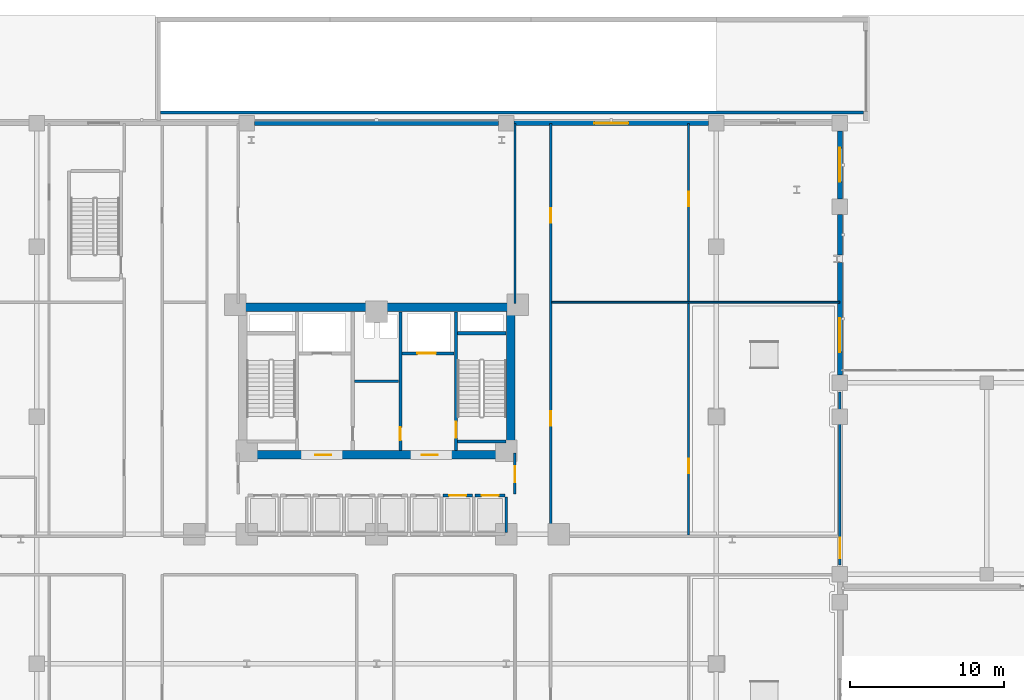
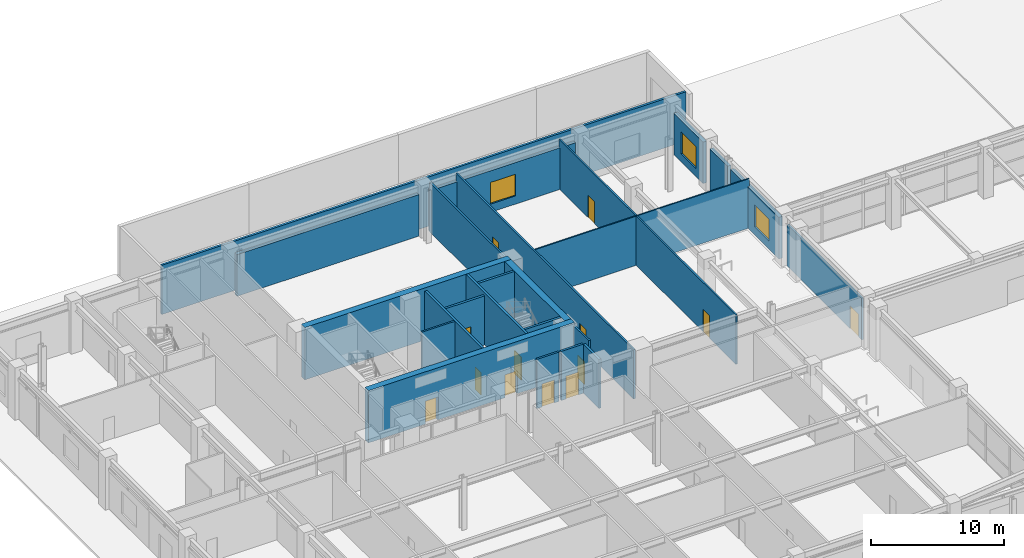
# One storey, part 26 of 40: 24 walls, 13 doors, 3 windows, 16 openings.
"""IFC4 building model written with IfcOpenShell, lengths in metres."""

from ifc_helpers import new_model, si_unit, derived_unit, direction, frame, frame_2d, origin, place, context, subcontext, project, spatial, rectangle, extrude, material, layer, layer_set, type_object, element, fill, save


model = new_model("IFC4")

# Units and contexts
model_context = context("Model", 3, precision=1e-05, world=origin(), true_north=direction((0.0, 1.0)))
body_context = subcontext(model_context, "Body", "Model", "MODEL_VIEW")
ifc_project = project(units=[si_unit("LENGTHUNIT", "METRE"), si_unit("AREAUNIT", "SQUARE_METRE"), si_unit("VOLUMEUNIT", "CUBIC_METRE"), si_unit("PLANEANGLEUNIT", "RADIAN"), si_unit("MASSUNIT", "GRAM", prefix="KILO"), derived_unit("THERMALTRANSMITTANCEUNIT", [(si_unit("POWERUNIT", "WATT"), 1), (si_unit("LENGTHUNIT", "METRE"), -2), (si_unit("THERMODYNAMICTEMPERATUREUNIT", "KELVIN"), -1)])], contexts=[model_context])

# Site, building, storey
site_placement = place(None, origin())
site = spatial("IfcSite", under=ifc_project, at=site_placement, CompositionType="ELEMENT")
building_placement = place(site_placement, origin())
building = spatial("IfcBuilding", under=site, at=building_placement, Name="Korsvarv Bourse and Concert Hall", CompositionType="ELEMENT")
storey_placement = place(building_placement, origin())
storey = spatial("IfcBuildingStorey", under=building, at=storey_placement, Name="L00", CompositionType="ELEMENT", Elevation=0.0)

# Wall, opening, door
ifc_material_1 = material(Name="Concrete C50/60", Category="concrete")
ifc_layer_1 = layer(ifc_material_1, 0.3798828125)
ifc_layer_set_1 = layer_set([ifc_layer_1], Name="Concrete C50/60")
wall_type_1 = type_object("IfcWallType", Name="WL-CORE-380", PredefinedType="SHEAR", material=ifc_layer_set_1)
wall_1_placement = place(storey_placement, frame((41.139892578125, 37.81005859375, 0.0), z_axis=(0.0, 0.0, 1.0), x_axis=(0.0, 1.0, 0.0)))
wall_1 = element("IfcWall", 1, at=wall_1_placement, inside=storey, type_object=wall_type_1, Name="L00 stair shaft structural wall W-L00-ST2-W", PredefinedType="SHEAR", context=body_context, shape_type="SweptSolid", body=[
    extrude(rectangle(XDim=8.97998046875, YDim=0.199951171875, at=frame_2d((4.489990234375, 0.0))), origin(), (0.0, 0.0, 1.0), 4.800048828125),
])
opening_1_placement = place(wall_1_placement, frame((0.820068359375, 0.0, 0.0)))
opening_1 = element("IfcOpeningElement", 2, at=opening_1_placement, cuts=wall_1, Name="Opening D-01", PredefinedType="OPENING", context=body_context, shape_type="SweptSolid", body=[
    extrude(rectangle(XDim=1.050048828125, YDim=2.10009765625, at=frame_2d((0.52490234375, 1.050048828125))), frame((0.0, 0.10986328125, 0.0), z_axis=(0.0, -1.0, 0.0), x_axis=(1.0, 0.0, 0.0)), (0.0, 0.0, 1.0), 0.219970703125),
])
ifc_material_2 = material(Name="Steel S355 fire door", Category="steel")
door_type_1 = type_object("IfcDoorType", Name="DR-FD60", OperationType="NOTDEFINED", PredefinedType="DOOR", material=ifc_material_2)
door_1_placement = place(opening_1_placement, frame((1.050048828125, 0.0, 0.0), z_axis=(0.0, 0.0, 1.0), x_axis=(-1.0, 0.0, 0.0)))
door_1 = element("IfcDoor", 3, at=door_1_placement, inside=storey, type_object=door_type_1, Name="L00 interior door DR-L00-ST2", OperationType="SINGLE_SWING_RIGHT", OverallHeight=2.10009765625, OverallWidth=1.050048828125, PredefinedType="DOOR", context=body_context, shape_type="SweptSolid", body=[
    extrude(rectangle(XDim=1.050048828125, YDim=2.10009765625, at=frame_2d((0.52490234375, 1.050048828125))), frame((0.0, 0.02490234375, 0.0), z_axis=(0.0, -1.0, 0.0), x_axis=(1.0, 0.0, 0.0)), (0.0, 0.0, 1.0), 0.050048828125),
])
fill(opening_1, door_1)

# Walls
for number, where, z_axis, x_axis, name in (
    (4, (41.25, 45.39990234375, 0.0), (0.0, 0.0, 1.0), (1.0, 0.0, 0.0), "L00 stair shaft structural wall W-L00-ST2-N"),
    (5, (41.25, 38.39990234375, 0.0), (0.0, 0.0, 1.0), (1.0, 0.0, 0.0), "L00 stair shaft structural wall W-L00-ST2-S"),
):
    element("IfcWall", number, at=place(storey_placement, frame(where, z_axis=z_axis, x_axis=x_axis)), inside=storey, type_object=wall_type_1, Name=name, PredefinedType="SHEAR", context=body_context, shape_type="SweptSolid", body=[
        extrude(rectangle(XDim=3.139892578125, YDim=0.199951171875, at=frame_2d((1.56982421875, 0.0))), origin(), (0.0, 0.0, 1.0), 4.800048828125),
    ])
ifc_material_3 = material(Name="Concrete C60/75", Category="concrete")
ifc_layer_2 = layer(ifc_material_3, 0.550048828125)
ifc_layer_set_2 = layer_set([ifc_layer_2], Name="Concrete C60/75")
wall_type_2 = type_object("IfcWallType", Name="WL-CORE-550", PredefinedType="SHEAR", material=ifc_layer_set_2)
wall_2_placement = place(storey_placement, frame((27.050048828125, 47.074951171875, 0.0), z_axis=(0.0, 0.0, 1.0), x_axis=(1.0, 0.0, 0.0)))
element("IfcWall", 6, at=wall_2_placement, inside=storey, type_object=wall_type_2, Name="L00 North Core Shear Wall", PredefinedType="SHEAR", context=body_context, shape_type="SweptSolid", body=[
    extrude(rectangle(XDim=17.89990234375, YDim=0.550048828125, at=frame_2d((8.949951171875, 0.0))), origin(), (0.0, 0.0, 1.0), 4.800048828125),
])

# Wall, openings, doors
wall_3_placement = place(storey_placement, frame((27.050048828125, 37.52490234375, 0.0), z_axis=(0.0, 0.0, 1.0), x_axis=(1.0, 0.0, 0.0)))
wall_3 = element("IfcWall", 7, at=wall_3_placement, inside=storey, type_object=wall_type_2, Name="L00 South Core Shear Wall", PredefinedType="SHEAR", context=body_context, shape_type="SweptSolid", body=[
    extrude(rectangle(XDim=17.89990234375, YDim=0.550048828125, at=frame_2d((8.949951171875, 0.0))), origin(), (0.0, 0.0, 1.0), 4.800048828125),
])
opening_2_placement = place(wall_3_placement, frame((4.97509765625, 0.0, 0.0)))
opening_2 = element("IfcOpeningElement", 8, at=opening_2_placement, cuts=wall_3, Name="Opening D-01", PredefinedType="OPENING", context=body_context, shape_type="SweptSolid", body=[
    extrude(rectangle(XDim=1.050048828125, YDim=2.10009765625, at=frame_2d((0.52490234375, 1.050048828125))), frame((0.0, 0.28515625, 0.0), z_axis=(0.0, -1.0, 0.0), x_axis=(1.0, 0.0, 0.0)), (0.0, 0.0, 1.0), 0.570068359375),
])
opening_3_placement = place(wall_3_placement, frame((11.875, 0.0, 0.0)))
opening_3 = element("IfcOpeningElement", 9, at=opening_3_placement, cuts=wall_3, Name="Opening D-01", PredefinedType="OPENING", context=body_context, shape_type="SweptSolid", body=[
    extrude(rectangle(XDim=1.050048828125, YDim=2.10009765625, at=frame_2d((0.52490234375, 1.050048828125))), frame((0.0, 0.28515625, 0.0), z_axis=(0.0, -1.0, 0.0), x_axis=(1.0, 0.0, 0.0)), (0.0, 0.0, 1.0), 0.570068359375),
])
door_2_placement = place(opening_2_placement, frame((1.050048828125, 0.0, 0.0), z_axis=(0.0, 0.0, 1.0), x_axis=(-1.0, 0.0, 0.0)))
door_2 = element("IfcDoor", 10, at=door_2_placement, inside=storey, type_object=door_type_1, Name="L00 firefighting lobby fire door DR-L00-FFLW", OperationType="SINGLE_SWING_LEFT", OverallHeight=2.10009765625, OverallWidth=1.050048828125, PredefinedType="DOOR", context=body_context, shape_type="SweptSolid", body=[
    extrude(rectangle(XDim=1.050048828125, YDim=2.10009765625, at=frame_2d((0.52490234375, 1.050048828125))), frame((0.0, 0.02490234375, 0.0), z_axis=(0.0, -1.0, 0.0), x_axis=(1.0, 0.0, 0.0)), (0.0, 0.0, 1.0), 0.050048828125),
])
fill(opening_2, door_2)
door_3_placement = place(opening_3_placement, frame((1.050048828125, 0.0, 0.0), z_axis=(0.0, 0.0, 1.0), x_axis=(-1.0, 0.0, 0.0)))
door_3 = element("IfcDoor", 11, at=door_3_placement, inside=storey, type_object=door_type_1, Name="L00 firefighting lobby fire door DR-L00-FFLE", OperationType="SINGLE_SWING_RIGHT", OverallHeight=2.10009765625, OverallWidth=1.050048828125, PredefinedType="DOOR", context=body_context, shape_type="SweptSolid", body=[
    extrude(rectangle(XDim=1.050048828125, YDim=2.10009765625, at=frame_2d((0.52490234375, 1.050048828125))), frame((0.0, 0.02490234375, 0.0), z_axis=(0.0, -1.0, 0.0), x_axis=(1.0, 0.0, 0.0)), (0.0, 0.0, 1.0), 0.050048828125),
])
fill(opening_3, door_3)

# Walls
wall_4_placement = place(storey_placement, frame((44.675048828125, 37.800048828125, 0.0), z_axis=(0.0, 0.0, 1.0), x_axis=(0.0, 1.0, 0.0)))
element("IfcWall", 12, at=wall_4_placement, inside=storey, type_object=wall_type_2, Name="L00 East Core Shear Wall", PredefinedType="SHEAR", context=body_context, shape_type="SweptSolid", body=[
    extrude(rectangle(XDim=9.0, YDim=0.550048828125, at=frame_2d((4.5, 0.0))), origin(), (0.0, 0.0, 1.0), 4.800048828125),
])
ifc_material_4 = material(Name="Precast concrete C45/55 with granite and terracotta", Category="concrete")
ifc_layer_3 = layer(ifc_material_4, 0.320068359375)
ifc_layer_set_3 = layer_set([ifc_layer_3], Name="Precast concrete C45/55 with granite and terracotta")
wall_type_3 = type_object("IfcWallType", Name="WL-EXT-POD", PredefinedType="SOLIDWALL", material=ifc_layer_set_3)
wall_5_placement = place(storey_placement, frame((28.10498046875, 59.0, 0.0), z_axis=(0.0, 0.0, 1.0), x_axis=(1.0, 0.0, 0.0)))
element("IfcWall", 13, at=wall_5_placement, inside=storey, type_object=wall_type_3, Name="L00 terracotta exterior wall EW-L00-N3", PredefinedType="SOLIDWALL", context=body_context, shape_type="SweptSolid", body=[
    extrude(rectangle(XDim=15.7900390625, YDim=0.320068359375, at=frame_2d((7.89501953125, 0.0))), origin(), (0.0, 0.0, 1.0), 3.820068359375),
])

# Wall, opening, window
wall_6_placement = place(storey_placement, frame((44.905029296875, 59.0, 0.0), z_axis=(0.0, 0.0, 1.0), x_axis=(1.0, 0.0, 0.0)))
wall_6 = element("IfcWall", 14, at=wall_6_placement, inside=storey, type_object=wall_type_3, Name="L00 terracotta exterior wall EW-L00-N4", PredefinedType="SOLIDWALL", context=body_context, shape_type="SweptSolid", body=[
    extrude(rectangle(XDim=12.590087890625, YDim=0.320068359375, at=frame_2d((6.294921875, 0.0))), origin(), (0.0, 0.0, 1.0), 3.820068359375),
])
opening_4_placement = place(wall_6_placement, frame((5.195068359375, 0.0, 0.75)))
opening_4 = element("IfcOpeningElement", 15, at=opening_4_placement, cuts=wall_6, Name="Opening W-03", PredefinedType="OPENING", context=body_context, shape_type="SweptSolid", body=[
    extrude(rectangle(XDim=2.199951171875, YDim=2.0, at=frame_2d((1.10009765625, 1.0))), frame((0.0, 0.169921875, 0.0), z_axis=(0.0, -1.0, 0.0), x_axis=(1.0, 0.0, 0.0)), (0.0, 0.0, 1.0), 0.340087890625),
])
ifc_material_5 = material(Name="Thermally broken aluminium frame with triple low-E glass", Category="glass")
window_type = type_object("IfcWindowType", Name="WIN-POD1", PartitioningType="SINGLE_PANEL", PredefinedType="WINDOW", material=ifc_material_5)
window_1_placement = place(opening_4_placement, origin())
window_1 = element("IfcWindow", 16, at=window_1_placement, inside=storey, type_object=window_type, Name="L00 punched facade window W-03", OverallHeight=2.0, OverallWidth=2.199951171875, PartitioningType="SINGLE_PANEL", PredefinedType="WINDOW", context=body_context, shape_type="SweptSolid", body=[
    extrude(rectangle(XDim=2.199951171875, YDim=2.0, at=frame_2d((1.10009765625, 1.0))), frame((0.0, 0.030029296875, 0.0), z_axis=(0.0, -1.0, 0.0), x_axis=(1.0, 0.0, 0.0)), (0.0, 0.0, 1.0), 0.06005859375),
])
fill(opening_4, window_1)

wall_7_placement = place(storey_placement, frame((66.0, 42.705078125, 0.0), z_axis=(0.0, 0.0, 1.0), x_axis=(0.0, 1.0, 0.0)))
wall_7 = element("IfcWall", 17, at=wall_7_placement, inside=storey, type_object=wall_type_3, Name="L00 terracotta exterior wall EW-L00-E3-1", PredefinedType="SOLIDWALL", context=body_context, shape_type="SweptSolid", body=[
    extrude(rectangle(XDim=7.27001953125, YDim=0.320068359375, at=frame_2d((3.635009765625, 0.0))), origin(), (0.0, 0.0, 1.0), 3.820068359375),
])
opening_5_placement = place(wall_7_placement, frame((1.467529296875, 0.0, 0.75)))
opening_5 = element("IfcOpeningElement", 18, at=opening_5_placement, cuts=wall_7, Name="Opening W-03", PredefinedType="OPENING", context=body_context, shape_type="SweptSolid", body=[
    extrude(rectangle(XDim=2.199951171875, YDim=2.0, at=frame_2d((1.10009765625, 1.0))), frame((0.0, 0.169921875, 0.0), z_axis=(0.0, -1.0, 0.0), x_axis=(1.0, 0.0, 0.0)), (0.0, 0.0, 1.0), 0.340087890625),
])
window_2_placement = place(opening_5_placement, origin())
window_2 = element("IfcWindow", 19, at=window_2_placement, inside=storey, type_object=window_type, Name="L00 punched facade window W-03", OverallHeight=2.0, OverallWidth=2.199951171875, PartitioningType="SINGLE_PANEL", PredefinedType="WINDOW", context=body_context, shape_type="SweptSolid", body=[
    extrude(rectangle(XDim=2.199951171875, YDim=2.0, at=frame_2d((1.10009765625, 1.0))), frame((0.0, 0.030029296875, 0.0), z_axis=(0.0, -1.0, 0.0), x_axis=(1.0, 0.0, 0.0)), (0.0, 0.0, 1.0), 0.06005859375),
])
fill(opening_5, window_2)

# Wall
wall_8_placement = place(storey_placement, frame((66.0, 50.459228515625, 0.0), z_axis=(0.0, 0.0, 1.0), x_axis=(0.0, 1.0, 0.0)))
element("IfcWall", 20, at=wall_8_placement, inside=storey, type_object=wall_type_3, Name="L00 terracotta exterior wall EW-L00-E3-2", PredefinedType="SOLIDWALL", context=body_context, shape_type="SweptSolid", body=[
    extrude(rectangle(XDim=2.6357421875, YDim=0.320068359375, at=frame_2d((1.31787109375, 0.0))), origin(), (0.0, 0.0, 1.0), 3.820068359375),
])

# Wall, opening, window
wall_9_placement = place(storey_placement, frame((66.0, 54.10498046875, 0.0), z_axis=(0.0, 0.0, 1.0), x_axis=(0.0, 1.0, 0.0)))
wall_9 = element("IfcWall", 21, at=wall_9_placement, inside=storey, type_object=wall_type_3, Name="L00 terracotta exterior wall EW-L00-E4", PredefinedType="SOLIDWALL", context=body_context, shape_type="SweptSolid", body=[
    extrude(rectangle(XDim=4.39013671875, YDim=0.320068359375, at=frame_2d((2.195068359375, 0.0))), origin(), (0.0, 0.0, 1.0), 3.820068359375),
])
opening_6_placement = place(wall_9_placement, frame((1.094970703125, 0.0, 0.75)))
opening_6 = element("IfcOpeningElement", 22, at=opening_6_placement, cuts=wall_9, Name="Opening W-03", PredefinedType="OPENING", context=body_context, shape_type="SweptSolid", body=[
    extrude(rectangle(XDim=2.199951171875, YDim=2.0, at=frame_2d((1.10009765625, 1.0))), frame((0.0, 0.169921875, 0.0), z_axis=(0.0, -1.0, 0.0), x_axis=(1.0, 0.0, 0.0)), (0.0, 0.0, 1.0), 0.340087890625),
])
window_3_placement = place(opening_6_placement, origin())
window_3 = element("IfcWindow", 23, at=window_3_placement, inside=storey, type_object=window_type, Name="L00 punched facade window W-03", OverallHeight=2.0, OverallWidth=2.199951171875, PartitioningType="SINGLE_PANEL", PredefinedType="WINDOW", context=body_context, shape_type="SweptSolid", body=[
    extrude(rectangle(XDim=2.199951171875, YDim=2.0, at=frame_2d((1.10009765625, 1.0))), frame((0.0, 0.030029296875, 0.0), z_axis=(0.0, -1.0, 0.0), x_axis=(1.0, 0.0, 0.0)), (0.0, 0.0, 1.0), 0.06005859375),
])
fill(opening_6, window_3)

# Wall, opening, door
ifc_material_6 = material(Name="Reinforced concrete blockwork C35/45 fire wall", Category="concrete")
ifc_layer_4 = layer(ifc_material_6, 0.199951171875)
ifc_layer_set_4 = layer_set([ifc_layer_4], Name="Reinforced concrete blockwork C35/45 fire wall")
wall_type_4 = type_object("IfcWallType", Name="WL-INT-EI120", PredefinedType="PARTITIONING", material=ifc_layer_set_4)
wall_10_placement = place(storey_placement, frame((37.64990234375, 44.10009765625, 0.0), z_axis=(0.0, 0.0, 1.0), x_axis=(1.0, 0.0, 0.0)))
wall_10 = element("IfcWall", 24, at=wall_10_placement, inside=storey, type_object=wall_type_4, Name="L00 interior partition wall W-L00-FF2-S", PredefinedType="PARTITIONING", context=body_context, shape_type="SweptSolid", body=[
    extrude(rectangle(XDim=3.380126953125, YDim=0.199951171875, at=frame_2d((1.68994140625, 0.0))), origin(), (0.0, 0.0, 1.0), 4.52001953125),
])
opening_7_placement = place(wall_10_placement, frame((1.0, 0.0, 0.0)))
opening_7 = element("IfcOpeningElement", 25, at=opening_7_placement, cuts=wall_10, Name="Opening LD-1", PredefinedType="OPENING", context=body_context, shape_type="SweptSolid", body=[
    extrude(rectangle(XDim=1.199951171875, YDim=2.10009765625, at=frame_2d((0.60009765625, 1.050048828125))), frame((0.0, 0.10986328125, 0.0), z_axis=(0.0, -1.0, 0.0), x_axis=(1.0, 0.0, 0.0)), (0.0, 0.0, 1.0), 0.219970703125),
])
ifc_material_7 = material(Name="Stainless Steel S355 firefighting lift landing door", Category="steel")
door_type_2 = type_object("IfcDoorType", Name="DR-LIFT-FF", OperationType="DOUBLE_DOOR_SLIDING", PredefinedType="DOOR", material=ifc_material_7)
door_4_placement = place(opening_7_placement, origin())
door_4 = element("IfcDoor", 26, at=door_4_placement, inside=storey, type_object=door_type_2, Name="L00 lift sliding landing door LD-L00-FF2", OperationType="DOUBLE_DOOR_SLIDING", OverallHeight=2.10009765625, OverallWidth=1.199951171875, PredefinedType="DOOR", context=body_context, shape_type="SweptSolid", body=[
    extrude(rectangle(XDim=1.199951171875, YDim=2.10009765625, at=frame_2d((0.60009765625, 1.050048828125))), frame((0.0, 0.02490234375, 0.0), z_axis=(0.0, -1.0, 0.0), x_axis=(1.0, 0.0, 0.0)), (0.0, 0.0, 1.0), 0.050048828125),
])
fill(opening_7, door_4)

wall_11_placement = place(storey_placement, frame((37.5400390625, 37.81005859375, 0.0), z_axis=(0.0, 0.0, 1.0), x_axis=(0.0, 1.0, 0.0)))
wall_11 = element("IfcWall", 27, at=wall_11_placement, inside=storey, type_object=wall_type_4, Name="L00 interior partition wall W-L00-CSB-E", PredefinedType="PARTITIONING", context=body_context, shape_type="SweptSolid", body=[
    extrude(rectangle(XDim=8.97998046875, YDim=0.199951171875, at=frame_2d((4.489990234375, 0.0))), origin(), (0.0, 0.0, 1.0), 4.52001953125),
])
opening_8_placement = place(wall_11_placement, frame((0.64990234375, 0.0, 0.0)))
opening_8 = element("IfcOpeningElement", 28, at=opening_8_placement, cuts=wall_11, Name="Opening D-05", PredefinedType="OPENING", context=body_context, shape_type="SweptSolid", body=[
    extrude(rectangle(XDim=0.85009765625, YDim=2.050048828125, at=frame_2d((0.425048828125, 1.02490234375))), frame((0.0, 0.10986328125, 0.0), z_axis=(0.0, -1.0, 0.0), x_axis=(1.0, 0.0, 0.0)), (0.0, 0.0, 1.0), 0.219970703125),
])
door_type_3 = type_object("IfcDoorType", Name="DR-FD60-850X2050", OperationType="NOTDEFINED", PredefinedType="DOOR", material=ifc_material_2)
door_5_placement = place(opening_8_placement, origin())
door_5 = element("IfcDoor", 29, at=door_5_placement, inside=storey, type_object=door_type_3, Name="L00 interior door DR-L00-CSB2", OperationType="SINGLE_SWING_RIGHT", OverallHeight=2.050048828125, OverallWidth=0.85009765625, PredefinedType="DOOR", context=body_context, shape_type="SweptSolid", body=[
    extrude(rectangle(XDim=0.85009765625, YDim=2.050048828125, at=frame_2d((0.425048828125, 1.02490234375))), frame((0.0, 0.02490234375, 0.0), z_axis=(0.0, -1.0, 0.0), x_axis=(1.0, 0.0, 0.0)), (0.0, 0.0, 1.0), 0.050048828125),
])
fill(opening_8, door_5)

# Walls
wall_12_placement = place(storey_placement, frame((22.02001953125, 59.699951171875, 0.0), z_axis=(0.0, 0.0, 1.0), x_axis=(1.0, 0.0, 0.0)))
element("IfcWall", 30, at=wall_12_placement, inside=storey, type_object=wall_type_4, Name="L00 interior partition wall W-L00-RMP-S", PredefinedType="PARTITIONING", context=body_context, shape_type="SweptSolid", body=[
    extrude(rectangle(XDim=45.5, YDim=0.199951171875, at=frame_2d((22.75, 0.0))), origin(), (0.0, 0.0, 1.0), 4.52001953125),
])
ifc_material_8 = material(Name="Double-stud fire-rated acoustic partition", Category="gypsum")
ifc_layer_5 = layer(ifc_material_8, 0.159912109375)
ifc_layer_set_5 = layer_set([ifc_layer_5], Name="Double-stud fire-rated acoustic partition")
wall_type_5 = type_object("IfcWallType", Name="WL-INT-EI60", PredefinedType="PARTITIONING", material=ifc_layer_set_5)
wall_13_placement = place(storey_placement, frame((34.570068359375, 42.300048828125, 0.0), z_axis=(0.0, 0.0, 1.0), x_axis=(1.0, 0.0, 0.0)))
element("IfcWall", 31, at=wall_13_placement, inside=storey, type_object=wall_type_5, Name="L00 interior partition wall W-L00-K1", PredefinedType="PARTITIONING", context=body_context, shape_type="SweptSolid", body=[
    extrude(rectangle(XDim=2.85986328125, YDim=0.159912109375, at=frame_2d((1.429931640625, 0.0))), origin(), (0.0, 0.0, 1.0), 4.52001953125),
])

# Wall, opening, door
wall_14_placement = place(storey_placement, frame((44.9599609375, 35.0, 0.0), z_axis=(0.0, 0.0, 1.0), x_axis=(0.0, 1.0, 0.0)))
wall_14 = element("IfcWall", 32, at=wall_14_placement, inside=storey, type_object=wall_type_5, Name="L00 interior partition wall W-L00-LOB-E", PredefinedType="PARTITIONING", context=body_context, shape_type="SweptSolid", body=[
    extrude(rectangle(XDim=2.64990234375, YDim=0.159912109375, at=frame_2d((1.324951171875, 0.0))), origin(), (0.0, 0.0, 1.0), 4.52001953125),
])
opening_9_placement = place(wall_14_placement, frame((0.75, 0.0, 0.0)))
opening_9 = element("IfcOpeningElement", 33, at=opening_9_placement, cuts=wall_14, Name="Opening D-01", PredefinedType="OPENING", context=body_context, shape_type="SweptSolid", body=[
    extrude(rectangle(XDim=1.050048828125, YDim=2.10009765625, at=frame_2d((0.52490234375, 1.050048828125))), frame((0.0, 0.08984375, 0.0), z_axis=(0.0, -1.0, 0.0), x_axis=(1.0, 0.0, 0.0)), (0.0, 0.0, 1.0), 0.179931640625),
])
door_6_placement = place(opening_9_placement, origin())
door_6 = element("IfcDoor", 34, at=door_6_placement, inside=storey, type_object=door_type_1, Name="L00 interior door DR-L00-LOBE", OperationType="SINGLE_SWING_RIGHT", OverallHeight=2.10009765625, OverallWidth=1.050048828125, PredefinedType="DOOR", context=body_context, shape_type="SweptSolid", body=[
    extrude(rectangle(XDim=1.050048828125, YDim=2.10009765625, at=frame_2d((0.52490234375, 1.050048828125))), frame((0.0, 0.02490234375, 0.0), z_axis=(0.0, -1.0, 0.0), x_axis=(1.0, 0.0, 0.0)), (0.0, 0.0, 1.0), 0.050048828125),
])
fill(opening_9, door_6)

wall_15_placement = place(storey_placement, frame((66.0, 30.39990234375, 0.0), z_axis=(0.0, 0.0, 1.0), x_axis=(0.0, 1.0, 0.0)))
wall_15 = element("IfcWall", 35, at=wall_15_placement, inside=storey, type_object=wall_type_5, Name="L00 interior partition wall W-L00-ELKP", PredefinedType="PARTITIONING", context=body_context, shape_type="SweptSolid", body=[
    extrude(rectangle(XDim=11.2001953125, YDim=0.159912109375, at=frame_2d((5.60009765625, 0.0))), origin(), (0.0, 0.0, 1.0), 3.820068359375),
])
opening_10_placement = place(wall_15_placement, frame((0.449951171875, 0.0, 0.0)))
opening_10 = element("IfcOpeningElement", 36, at=opening_10_placement, cuts=wall_15, Name="Opening D-04", PredefinedType="OPENING", context=body_context, shape_type="SweptSolid", body=[
    extrude(rectangle(XDim=1.300048828125, YDim=2.10009765625, at=frame_2d((0.64990234375, 1.050048828125))), frame((0.0, 0.08984375, 0.0), z_axis=(0.0, -1.0, 0.0), x_axis=(1.0, 0.0, 0.0)), (0.0, 0.0, 1.0), 0.179931640625),
])
ifc_material_9 = material(Name="Glazed aluminium double corridor door", Category="aluminium")
door_type_4 = type_object("IfcDoorType", Name="DR-INT-2", OperationType="DOUBLE_DOOR_SINGLE_SWING", PredefinedType="DOOR", material=ifc_material_9)
door_7_placement = place(opening_10_placement, frame((1.300048828125, 0.0, 0.0), z_axis=(0.0, 0.0, 1.0), x_axis=(-1.0, 0.0, 0.0)))
door_7 = element("IfcDoor", 37, at=door_7_placement, inside=storey, type_object=door_type_4, Name="L00 interior door DR-L00-LKPOD", OperationType="DOUBLE_DOOR_SINGLE_SWING", OverallHeight=2.10009765625, OverallWidth=1.300048828125, PredefinedType="DOOR", context=body_context, shape_type="SweptSolid", body=[
    extrude(rectangle(XDim=1.300048828125, YDim=2.10009765625, at=frame_2d((0.64990234375, 1.050048828125))), frame((0.0, 0.02490234375, 0.0), z_axis=(0.0, -1.0, 0.0), x_axis=(1.0, 0.0, 0.0)), (0.0, 0.0, 1.0), 0.050048828125),
])
fill(opening_10, door_7)

# Wall, openings, doors
wall_16_placement = place(storey_placement, frame((47.27490234375, 32.27001953125, 0.0), z_axis=(0.0, 0.0, 1.0), x_axis=(0.0, 1.0, 0.0)))
wall_16 = element("IfcWall", 38, at=wall_16_placement, inside=storey, type_object=wall_type_5, Name="L00 interior partition wall W-L00-PCOR-07", PredefinedType="PARTITIONING", context=body_context, shape_type="SweptSolid", body=[
    extrude(rectangle(XDim=26.7099609375, YDim=0.159912109375, at=frame_2d((13.35498046875, 0.0))), origin(), (0.0, 0.0, 1.0), 4.52001953125),
])
opening_11_placement = place(wall_16_placement, frame((7.14501953125, 0.0, 0.0)))
opening_11 = element("IfcOpeningElement", 39, at=opening_11_placement, cuts=wall_16, Name="Opening D-02", PredefinedType="OPENING", context=body_context, shape_type="SweptSolid", body=[
    extrude(rectangle(XDim=0.949951171875, YDim=2.050048828125, at=frame_2d((0.47509765625, 1.02490234375))), frame((0.0, 0.08984375, 0.0), z_axis=(0.0, -1.0, 0.0), x_axis=(1.0, 0.0, 0.0)), (0.0, 0.0, 1.0), 0.179931640625),
])
opening_12_placement = place(wall_16_placement, frame((20.28271484375, 0.0, 0.0)))
opening_12 = element("IfcOpeningElement", 40, at=opening_12_placement, cuts=wall_16, Name="Opening D-02", PredefinedType="OPENING", context=body_context, shape_type="SweptSolid", body=[
    extrude(rectangle(XDim=0.949951171875, YDim=2.050048828125, at=frame_2d((0.47509765625, 1.02490234375))), frame((0.0, 0.08984375, 0.0), z_axis=(0.0, -1.0, 0.0), x_axis=(1.0, 0.0, 0.0)), (0.0, 0.0, 1.0), 0.179931640625),
])
ifc_material_10 = material(Name="Timber and steel acoustic fire door", Category="wood")
door_type_5 = type_object("IfcDoorType", Name="DR-FD30", OperationType="NOTDEFINED", PredefinedType="DOOR", material=ifc_material_10)
door_8_placement = place(opening_11_placement, origin())
door_8 = element("IfcDoor", 41, at=door_8_placement, inside=storey, type_object=door_type_5, Name="L00 interior door DR-L00-PCOR-RM55", OperationType="SINGLE_SWING_LEFT", OverallHeight=2.050048828125, OverallWidth=0.949951171875, PredefinedType="DOOR", context=body_context, shape_type="SweptSolid", body=[
    extrude(rectangle(XDim=0.949951171875, YDim=2.050048828125, at=frame_2d((0.47509765625, 1.02490234375))), frame((0.0, 0.02490234375, 0.0), z_axis=(0.0, -1.0, 0.0), x_axis=(1.0, 0.0, 0.0)), (0.0, 0.0, 1.0), 0.050048828125),
])
fill(opening_11, door_8)
door_9_placement = place(opening_12_placement, origin())
door_9 = element("IfcDoor", 42, at=door_9_placement, inside=storey, type_object=door_type_5, Name="L00 interior door DR-L00-PCOR-RM66", OperationType="SINGLE_SWING_RIGHT", OverallHeight=2.050048828125, OverallWidth=0.949951171875, PredefinedType="DOOR", context=body_context, shape_type="SweptSolid", body=[
    extrude(rectangle(XDim=0.949951171875, YDim=2.050048828125, at=frame_2d((0.47509765625, 1.02490234375))), frame((0.0, 0.02490234375, 0.0), z_axis=(0.0, -1.0, 0.0), x_axis=(1.0, 0.0, 0.0)), (0.0, 0.0, 1.0), 0.050048828125),
])
fill(opening_12, door_9)

# Wall
wall_17_placement = place(storey_placement, frame((44.965087890625, 47.340087890625, 0.0), z_axis=(0.0, 0.0, 1.0), x_axis=(0.0, 1.0, 0.0)))
element("IfcWall", 43, at=wall_17_placement, inside=storey, type_object=wall_type_5, Name="L00 interior partition wall W-L00-PCOR-17", PredefinedType="PARTITIONING", context=body_context, shape_type="SweptSolid", body=[
    extrude(rectangle(XDim=11.639892578125, YDim=0.159912109375, at=frame_2d((5.81982421875, 0.0))), origin(), (0.0, 0.0, 1.0), 4.52001953125),
])

# Wall, opening, door
ifc_material_11 = material(Name="Gypsum-clad autoclaved concrete shaft wall C30/37", Category="concrete")
ifc_layer_6 = layer(ifc_material_11, 0.179931640625)
ifc_layer_set_6 = layer_set([ifc_layer_6], Name="Gypsum-clad autoclaved concrete shaft wall C30/37")
wall_type_6 = type_object("IfcWallType", Name="WL-INT-EI90", PredefinedType="PARTITIONING", material=ifc_layer_set_6)
wall_18_placement = place(storey_placement, frame((40.2900390625, 34.89990234375, 0.0), z_axis=(0.0, 0.0, 1.0), x_axis=(1.0, 0.0, 0.0)))
wall_18 = element("IfcWall", 44, at=wall_18_placement, inside=storey, type_object=wall_type_6, Name="L00 interior partition wall W-L00-SHFN-PO1", PredefinedType="PARTITIONING", context=body_context, shape_type="SweptSolid", body=[
    extrude(rectangle(XDim=1.919921875, YDim=0.179931640625, at=frame_2d((0.9599609375, 0.0))), origin(), (0.0, 0.0, 1.0), 4.52001953125),
])
opening_13_placement = place(wall_18_placement, frame((0.409912109375, 0.0, 0.0)))
opening_13 = element("IfcOpeningElement", 45, at=opening_13_placement, cuts=wall_18, Name="Opening LD-2", PredefinedType="OPENING", context=body_context, shape_type="SweptSolid", body=[
    extrude(rectangle(XDim=1.10009765625, YDim=2.10009765625, at=frame_2d((0.550048828125, 1.050048828125))), frame((0.0, 0.10009765625, 0.0), z_axis=(0.0, -1.0, 0.0), x_axis=(1.0, 0.0, 0.0)), (0.0, 0.0, 1.0), 0.199951171875),
])
ifc_material_12 = material(Name="Brushed stainless Steel S355 lift landing door", Category="steel")
door_type_6 = type_object("IfcDoorType", Name="DR-LIFT-P", OperationType="DOUBLE_DOOR_SLIDING", PredefinedType="DOOR", material=ifc_material_12)
door_10_placement = place(opening_13_placement, origin())
door_10 = element("IfcDoor", 46, at=door_10_placement, inside=storey, type_object=door_type_6, Name="L00 lift sliding landing door LD-L00-PO1", OperationType="DOUBLE_DOOR_SLIDING", OverallHeight=2.10009765625, OverallWidth=1.10009765625, PredefinedType="DOOR", context=body_context, shape_type="SweptSolid", body=[
    extrude(rectangle(XDim=1.10009765625, YDim=2.10009765625, at=frame_2d((0.550048828125, 1.050048828125))), frame((0.0, 0.02490234375, 0.0), z_axis=(0.0, -1.0, 0.0), x_axis=(1.0, 0.0, 0.0)), (0.0, 0.0, 1.0), 0.050048828125),
])
fill(opening_13, door_10)

wall_19_placement = place(storey_placement, frame((42.389892578125, 34.89990234375, 0.0), z_axis=(0.0, 0.0, 1.0), x_axis=(1.0, 0.0, 0.0)))
wall_19 = element("IfcWall", 47, at=wall_19_placement, inside=storey, type_object=wall_type_6, Name="L00 interior partition wall W-L00-SHFN-PO2", PredefinedType="PARTITIONING", context=body_context, shape_type="SweptSolid", body=[
    extrude(rectangle(XDim=1.920166015625, YDim=0.179931640625, at=frame_2d((0.9599609375, 0.0))), origin(), (0.0, 0.0, 1.0), 4.52001953125),
])
opening_14_placement = place(wall_19_placement, frame((0.409912109375, 0.0, 0.0)))
opening_14 = element("IfcOpeningElement", 48, at=opening_14_placement, cuts=wall_19, Name="Opening LD-2", PredefinedType="OPENING", context=body_context, shape_type="SweptSolid", body=[
    extrude(rectangle(XDim=1.10009765625, YDim=2.10009765625, at=frame_2d((0.550048828125, 1.050048828125))), frame((0.0, 0.10009765625, 0.0), z_axis=(0.0, -1.0, 0.0), x_axis=(1.0, 0.0, 0.0)), (0.0, 0.0, 1.0), 0.199951171875),
])
door_11_placement = place(opening_14_placement, origin())
door_11 = element("IfcDoor", 49, at=door_11_placement, inside=storey, type_object=door_type_6, Name="L00 lift sliding landing door LD-L00-PO2", OperationType="DOUBLE_DOOR_SLIDING", OverallHeight=2.10009765625, OverallWidth=1.10009765625, PredefinedType="DOOR", context=body_context, shape_type="SweptSolid", body=[
    extrude(rectangle(XDim=1.10009765625, YDim=2.10009765625, at=frame_2d((0.550048828125, 1.050048828125))), frame((0.0, 0.02490234375, 0.0), z_axis=(0.0, -1.0, 0.0), x_axis=(1.0, 0.0, 0.0)), (0.0, 0.0, 1.0), 0.050048828125),
])
fill(opening_14, door_11)

# Walls
wall_20_placement = place(storey_placement, frame((44.39990234375, 32.489990234375, 0.0), z_axis=(0.0, 0.0, 1.0), x_axis=(0.0, 1.0, 0.0)))
element("IfcWall", 50, at=wall_20_placement, inside=storey, type_object=wall_type_6, Name="L00 interior partition wall W-L00-SHFE-END", PredefinedType="PARTITIONING", context=body_context, shape_type="SweptSolid", body=[
    extrude(rectangle(XDim=2.320068359375, YDim=0.179931640625, at=frame_2d((1.16015625, 0.0))), origin(), (0.0, 0.0, 1.0), 4.52001953125),
])
ifc_material_13 = material(Name="Demountable acoustic glass and aluminium dealing partition", Category="aluminium")
ifc_layer_7 = layer(ifc_material_13, 0.110107421875)
ifc_layer_set_7 = layer_set([ifc_layer_7], Name="Demountable acoustic glass and aluminium dealing partition")
wall_type_7 = type_object("IfcWallType", Name="WL-INT-MOV", PredefinedType="MOVABLE", material=ifc_layer_set_7)
wall_21_placement = place(storey_placement, frame((47.35693359375, 47.405029296875, 0.0), z_axis=(0.0, 0.0, 1.0), x_axis=(1.0, 0.0, 0.0)))
element("IfcWall", 51, at=wall_21_placement, inside=storey, type_object=wall_type_7, Name="L00 interior partition wall W-L00-PCOR-26", PredefinedType="MOVABLE", context=body_context, shape_type="SweptSolid", body=[
    extrude(rectangle(XDim=18.623046875, YDim=0.110107421875, at=frame_2d((9.3115234375, 0.0))), origin(), (0.0, 0.0, 1.0), 4.52001953125),
])

# Wall, openings, doors
ifc_material_14 = material(Name="Insulated steel-stud office acoustic partition", Category="gypsum")
ifc_layer_8 = layer(ifc_material_14, 0.139892578125)
ifc_layer_set_8 = layer_set([ifc_layer_8], Name="Insulated steel-stud office acoustic partition")
wall_type_8 = type_object("IfcWallType", Name="WL-INT-P1", PredefinedType="PARTITIONING", material=ifc_layer_set_8)
wall_22_placement = place(storey_placement, frame((56.205078125, 32.35693359375, 0.0), z_axis=(0.0, 0.0, 1.0), x_axis=(0.0, 1.0, 0.0)))
wall_22 = element("IfcWall", 52, at=wall_22_placement, inside=storey, type_object=wall_type_8, Name="L00 interior partition wall W-L00-PCOR-23", PredefinedType="PARTITIONING", context=body_context, shape_type="SweptSolid", body=[
    extrude(rectangle(XDim=26.623046875, YDim=0.139892578125, at=frame_2d((13.3115234375, 0.0))), origin(), (0.0, 0.0, 1.0), 4.52001953125),
])
opening_15_placement = place(wall_22_placement, frame((3.97998046875, 0.0, 0.0)))
opening_15 = element("IfcOpeningElement", 53, at=opening_15_placement, cuts=wall_22, Name="Opening D-03", PredefinedType="OPENING", context=body_context, shape_type="SweptSolid", body=[
    extrude(rectangle(XDim=0.949951171875, YDim=2.050048828125, at=frame_2d((0.47509765625, 1.02490234375))), frame((0.0, 0.080078125, 0.0), z_axis=(0.0, -1.0, 0.0), x_axis=(1.0, 0.0, 0.0)), (0.0, 0.0, 1.0), 0.159912109375),
])
opening_16_placement = place(wall_22_placement, frame((21.27001953125, 0.0, 0.0)))
opening_16 = element("IfcOpeningElement", 54, at=opening_16_placement, cuts=wall_22, Name="Opening D-03", PredefinedType="OPENING", context=body_context, shape_type="SweptSolid", body=[
    extrude(rectangle(XDim=0.949951171875, YDim=2.050048828125, at=frame_2d((0.47509765625, 1.02490234375))), frame((0.0, 0.080078125, 0.0), z_axis=(0.0, -1.0, 0.0), x_axis=(1.0, 0.0, 0.0)), (0.0, 0.0, 1.0), 0.159912109375),
])
ifc_material_15 = material(Name="Nordic oak acoustic office door", Category="wood")
door_type_7 = type_object("IfcDoorType", Name="DR-INT-1", OperationType="NOTDEFINED", PredefinedType="DOOR", material=ifc_material_15)
door_12_placement = place(opening_15_placement, origin())
door_12 = element("IfcDoor", 55, at=door_12_placement, inside=storey, type_object=door_type_7, Name="L00 interior door DR-L00-PCOR-RM77", OperationType="SINGLE_SWING_LEFT", OverallHeight=2.050048828125, OverallWidth=0.949951171875, PredefinedType="DOOR", context=body_context, shape_type="SweptSolid", body=[
    extrude(rectangle(XDim=0.949951171875, YDim=2.050048828125, at=frame_2d((0.47509765625, 1.02490234375))), frame((0.0, 0.02490234375, 0.0), z_axis=(0.0, -1.0, 0.0), x_axis=(1.0, 0.0, 0.0)), (0.0, 0.0, 1.0), 0.050048828125),
])
fill(opening_15, door_12)
door_13_placement = place(opening_16_placement, origin())
door_13 = element("IfcDoor", 56, at=door_13_placement, inside=storey, type_object=door_type_7, Name="L00 interior door DR-L00-PCOR-MEET8", OperationType="SINGLE_SWING_RIGHT", OverallHeight=2.050048828125, OverallWidth=0.949951171875, PredefinedType="DOOR", context=body_context, shape_type="SweptSolid", body=[
    extrude(rectangle(XDim=0.949951171875, YDim=2.050048828125, at=frame_2d((0.47509765625, 1.02490234375))), frame((0.0, 0.02490234375, 0.0), z_axis=(0.0, -1.0, 0.0), x_axis=(1.0, 0.0, 0.0)), (0.0, 0.0, 1.0), 0.050048828125),
])
fill(opening_16, door_13)

save(model, "model.ifc")
